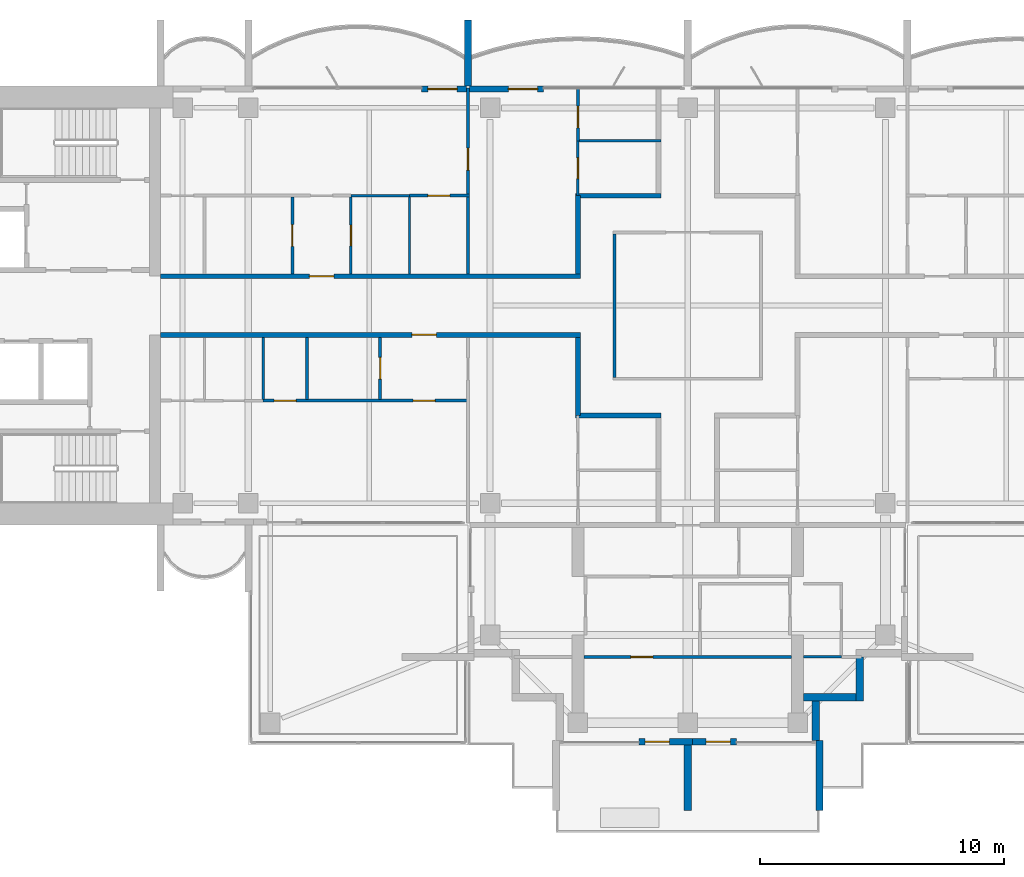
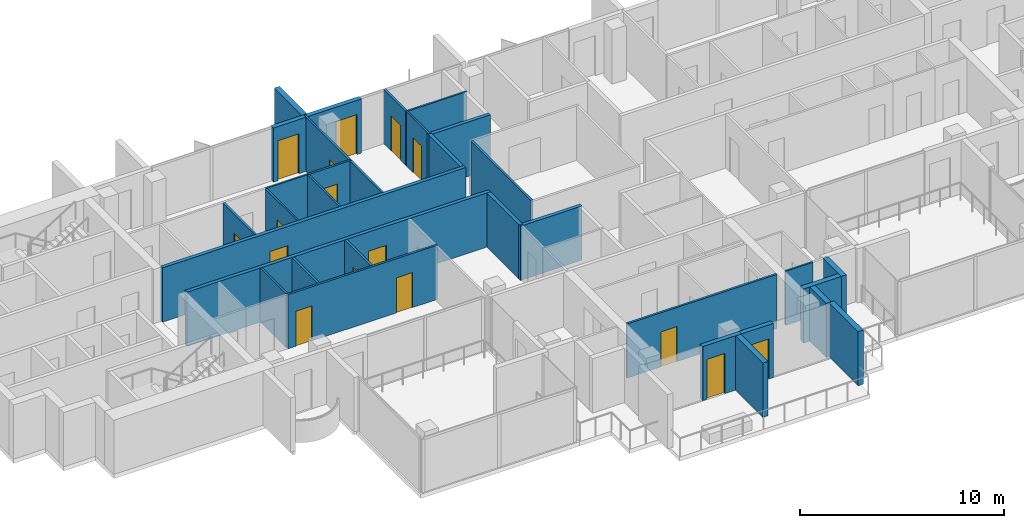
# One storey, part 8 of 16: 32 walls, 16 doors, 16 openings.
"""IFC4 building model written with IfcOpenShell, lengths in metres."""

from ifc_helpers import new_model, si_unit, direction, frame, frame_2d, origin, place, context, subcontext, project, spatial, rectangle, extrude, material, layer, layer_set, type_object, element, fill, save


model = new_model("IFC4")

# Units and contexts
model_context = context("Model", 3, precision=1e-05, world=origin(), true_north=direction((0.0, 1.0)))
body_context = subcontext(model_context, "Body", "Model", "MODEL_VIEW")
ifc_project = project(units=[si_unit("LENGTHUNIT", "METRE"), si_unit("AREAUNIT", "SQUARE_METRE"), si_unit("VOLUMEUNIT", "CUBIC_METRE"), si_unit("PLANEANGLEUNIT", "RADIAN"), si_unit("MASSUNIT", "GRAM", prefix="KILO")], contexts=[model_context])

# Site, building, storey
site_placement = place(None, origin())
site = spatial("IfcSite", under=ifc_project, at=site_placement, CompositionType="ELEMENT")
building_placement = place(site_placement, origin())
building = spatial("IfcBuilding", under=site, at=building_placement, Name="Perihelion Cross Residences", CompositionType="ELEMENT")
storey_placement = place(building_placement, frame((0.0, 0.0, 232.5)))
storey = spatial("IfcBuildingStorey", under=building, at=storey_placement, Name="L58", CompositionType="ELEMENT", Elevation=232.5)

# Wall, opening, door
ifc_material_1 = material(Name="Plasterboard partition")
ifc_layer_1 = layer(ifc_material_1, 0.199951171875)
ifc_layer_set_1 = layer_set([ifc_layer_1], Name="Apartment separation wall 200")
wall_type_1 = type_object("IfcWallType", Name="Apartment separation wall 200", PredefinedType="PARTITIONING", material=ifc_layer_set_1)
wall_1_placement = place(storey_placement, frame((-21.60009765625, 1.199951171875, 0.0), z_axis=(0.0, 0.0, 1.0), x_axis=(1.0, 0.0, 0.0)))
wall_1 = element("IfcWall", 1, at=wall_1_placement, inside=storey, type_object=wall_type_1, Name="Partition L58 W013", PredefinedType="PARTITIONING", context=body_context, shape_type="SweptSolid", body=[
    extrude(rectangle(XDim=17.2001953125, YDim=0.199951171875, at=frame_2d((8.60009765625, 0.0))), origin(), (0.0, 0.0, 1.0), 3.25),
])
opening_1_placement = place(wall_1_placement, frame((6.10009765625, 0.0, 0.0)))
opening_1 = element("IfcOpeningElement", 2, at=opening_1_placement, cuts=wall_1, Name="Opening L58.A41", PredefinedType="OPENING", context=body_context, shape_type="SweptSolid", body=[
    extrude(rectangle(XDim=1.0, YDim=2.10009765625, at=frame_2d((0.5, 1.050048828125))), frame((0.0, 0.10986328125, 0.0), z_axis=(0.0, -1.0, 0.0), x_axis=(1.0, 0.0, 0.0)), (0.0, 0.0, 1.0), 0.219970703125),
])
ifc_material_2 = material(Name="Timber door leaf", Category="wood")
door_type_1 = type_object("IfcDoorType", Name="Flat entrance door 1000 x 2100", OperationType="SINGLE_SWING_LEFT", PredefinedType="DOOR", material=ifc_material_2)
door_1_placement = place(opening_1_placement, origin())
door_1 = element("IfcDoor", 3, at=door_1_placement, inside=storey, type_object=door_type_1, Name="Door L58.A41", OperationType="SINGLE_SWING_LEFT", OverallHeight=2.10009765625, OverallWidth=1.0, PredefinedType="DOOR", context=body_context, shape_type="SweptSolid", body=[
    extrude(rectangle(XDim=1.0, YDim=2.10009765625, at=frame_2d((0.5, 1.050048828125))), frame((0.0, 0.02490234375, 0.0), z_axis=(0.0, -1.0, 0.0), x_axis=(1.0, 0.0, 0.0)), (0.0, 0.0, 1.0), 0.050048828125),
])
fill(opening_1, door_1)

# Walls
wall_2_placement = place(storey_placement, frame((-4.5, 1.300048828125, 0.0), z_axis=(0.0, 0.0, 1.0), x_axis=(0.0, 1.0, 0.0)))
element("IfcWall", 4, at=wall_2_placement, inside=storey, type_object=wall_type_1, Name="Partition L58 W014", PredefinedType="PARTITIONING", context=body_context, shape_type="SweptSolid", body=[
    extrude(rectangle(XDim=3.199951171875, YDim=0.199951171875, at=frame_2d((1.60009765625, 0.0))), origin(), (0.0, 0.0, 1.0), 3.25),
])
wall_3_placement = place(storey_placement, frame((-4.60009765625, 4.5, 0.0), z_axis=(0.0, 0.0, 1.0), x_axis=(1.0, 0.0, 0.0)))
element("IfcWall", 5, at=wall_3_placement, inside=storey, type_object=wall_type_1, Name="Partition L58 W015", PredefinedType="PARTITIONING", context=body_context, shape_type="SweptSolid", body=[
    extrude(rectangle(XDim=3.5, YDim=0.199951171875, at=frame_2d((1.75, 0.0))), origin(), (0.0, 0.0, 1.0), 3.25),
])

# Wall, opening, door
wall_4_placement = place(storey_placement, frame((-4.39990234375, -1.199951171875, 0.0), z_axis=(0.0, 0.0, 1.0), x_axis=(-1.0, 0.0, 0.0)))
wall_4 = element("IfcWall", 6, at=wall_4_placement, inside=storey, type_object=wall_type_1, Name="Partition L58 W017", PredefinedType="PARTITIONING", context=body_context, shape_type="SweptSolid", body=[
    extrude(rectangle(XDim=17.2001953125, YDim=0.199951171875, at=frame_2d((8.60009765625, 0.0))), origin(), (0.0, 0.0, 1.0), 3.25),
])
opening_2_placement = place(wall_4_placement, frame((5.89990234375, 0.0, 0.0)))
opening_2 = element("IfcOpeningElement", 7, at=opening_2_placement, cuts=wall_4, Name="Opening L58.A42", PredefinedType="OPENING", context=body_context, shape_type="SweptSolid", body=[
    extrude(rectangle(XDim=1.0, YDim=2.10009765625, at=frame_2d((0.5, 1.050048828125))), frame((0.0, 0.10986328125, 0.0), z_axis=(0.0, -1.0, 0.0), x_axis=(1.0, 0.0, 0.0)), (0.0, 0.0, 1.0), 0.219970703125),
])
door_2_placement = place(opening_2_placement, origin())
door_2 = element("IfcDoor", 8, at=door_2_placement, inside=storey, type_object=door_type_1, Name="Door L58.A42", OperationType="SINGLE_SWING_LEFT", OverallHeight=2.10009765625, OverallWidth=1.0, PredefinedType="DOOR", context=body_context, shape_type="SweptSolid", body=[
    extrude(rectangle(XDim=1.0, YDim=2.10009765625, at=frame_2d((0.5, 1.050048828125))), frame((0.0, 0.02490234375, 0.0), z_axis=(0.0, -1.0, 0.0), x_axis=(1.0, 0.0, 0.0)), (0.0, 0.0, 1.0), 0.050048828125),
])
fill(opening_2, door_2)

# Walls
wall_5_placement = place(storey_placement, frame((-4.5, -4.5, 0.0), z_axis=(0.0, 0.0, 1.0), x_axis=(0.0, 1.0, 0.0)))
element("IfcWall", 9, at=wall_5_placement, inside=storey, type_object=wall_type_1, Name="Partition L58 W018", PredefinedType="PARTITIONING", context=body_context, shape_type="SweptSolid", body=[
    extrude(rectangle(XDim=3.199951171875, YDim=0.199951171875, at=frame_2d((1.60009765625, 0.0))), origin(), (0.0, 0.0, 1.0), 3.25),
])
wall_6_placement = place(storey_placement, frame((-1.10009765625, -4.5, 0.0), z_axis=(0.0, 0.0, 1.0), x_axis=(-1.0, 0.0, 0.0)))
element("IfcWall", 10, at=wall_6_placement, inside=storey, type_object=wall_type_1, Name="Partition L58 W020", PredefinedType="PARTITIONING", context=body_context, shape_type="SweptSolid", body=[
    extrude(rectangle(XDim=3.5, YDim=0.199951171875, at=frame_2d((1.75, 0.0))), origin(), (0.0, 0.0, 1.0), 3.25),
])

# Wall, opening, door
ifc_material_3 = material(Name="Concrete C30/37, bronze-clad", Category="concrete")
ifc_layer_2 = layer(ifc_material_3, 0.25)
ifc_layer_set_2 = layer_set([ifc_layer_2], Name="Bronze-clad pier wall 250")
wall_type_2 = type_object("IfcWallType", Name="Bronze-clad pier wall 250", PredefinedType="SOLIDWALL", material=ifc_layer_set_2)
wall_7_placement = place(storey_placement, frame((-5.89990234375, 8.875, 0.0), z_axis=(0.0, 0.0, 1.0), x_axis=(-1.0, 0.0, 0.0)))
wall_7 = element("IfcWall", 11, at=wall_7_placement, inside=storey, type_object=wall_type_2, Name="Wall FW1 L58 north side east bay 2 pier", PredefinedType="SOLIDWALL", context=body_context, shape_type="SweptSolid", body=[
    extrude(rectangle(XDim=3.0400390625, YDim=0.25, at=frame_2d((1.52001953125, 0.0))), origin(), (0.0, 0.0, 1.0), 3.25),
])
opening_3_placement = place(wall_7_placement, frame((0.25, 0.0, 0.0)))
opening_3 = element("IfcOpeningElement", 12, at=opening_3_placement, cuts=wall_7, Name="Opening L58.E04", PredefinedType="OPENING", context=body_context, shape_type="SweptSolid", body=[
    extrude(rectangle(XDim=1.199951171875, YDim=2.39990234375, at=frame_2d((0.60009765625, 1.199951171875))), frame((0.0, 0.135009765625, 0.0), z_axis=(0.0, -1.0, 0.0), x_axis=(1.0, 0.0, 0.0)), (0.0, 0.0, 1.0), 0.27001953125),
])
ifc_material_4 = material(Name="Bronze anodised aluminium, glazed", Category="aluminium")
door_type_2 = type_object("IfcDoorType", Name="Balcony door 1200 x 2400", OperationType="NOTDEFINED", PredefinedType="DOOR", material=ifc_material_4)
door_3_placement = place(opening_3_placement, origin())
door_3 = element("IfcDoor", 13, at=door_3_placement, inside=storey, type_object=door_type_2, Name="Door L58.E04 north side east bay 2", OperationType="SINGLE_SWING_RIGHT", OverallHeight=2.39990234375, OverallWidth=1.199951171875, PredefinedType="DOOR", context=body_context, shape_type="SweptSolid", body=[
    extrude(rectangle(XDim=1.199951171875, YDim=2.39990234375, at=frame_2d((0.60009765625, 1.199951171875))), frame((0.0, 0.02490234375, 0.0), z_axis=(0.0, -1.0, 0.0), x_axis=(1.0, 0.0, 0.0)), (0.0, 0.0, 1.0), 0.050048828125),
])
fill(opening_3, door_3)

wall_8_placement = place(storey_placement, frame((-9.06005859375, 8.875, 0.0), z_axis=(0.0, 0.0, 1.0), x_axis=(-1.0, 0.0, 0.0)))
wall_8 = element("IfcWall", 14, at=wall_8_placement, inside=storey, type_object=wall_type_2, Name="Wall FW1 L58 west side north bay 1 pier", PredefinedType="SOLIDWALL", context=body_context, shape_type="SweptSolid", body=[
    extrude(rectangle(XDim=1.83984375, YDim=0.25, at=frame_2d((0.919921875, 0.0))), origin(), (0.0, 0.0, 1.0), 3.25),
])
opening_4_placement = place(wall_8_placement, frame((0.389892578125, 0.0, 0.0)))
opening_4 = element("IfcOpeningElement", 15, at=opening_4_placement, cuts=wall_8, Name="Opening L58.E05", PredefinedType="OPENING", context=body_context, shape_type="SweptSolid", body=[
    extrude(rectangle(XDim=1.199951171875, YDim=2.39990234375, at=frame_2d((0.60009765625, 1.199951171875))), frame((0.0, 0.135009765625, 0.0), z_axis=(0.0, -1.0, 0.0), x_axis=(1.0, 0.0, 0.0)), (0.0, 0.0, 1.0), 0.27001953125),
])
door_4_placement = place(opening_4_placement, origin())
door_4 = element("IfcDoor", 16, at=door_4_placement, inside=storey, type_object=door_type_2, Name="Door L58.E05 west side north bay 1", OperationType="SINGLE_SWING_LEFT", OverallHeight=2.39990234375, OverallWidth=1.199951171875, PredefinedType="DOOR", context=body_context, shape_type="SweptSolid", body=[
    extrude(rectangle(XDim=1.199951171875, YDim=2.39990234375, at=frame_2d((0.60009765625, 1.199951171875))), frame((0.0, 0.02490234375, 0.0), z_axis=(0.0, -1.0, 0.0), x_axis=(1.0, 0.0, 0.0)), (0.0, 0.0, 1.0), 0.050048828125),
])
fill(opening_4, door_4)

wall_9_placement = place(storey_placement, frame((-2.0, -17.875, 0.0), z_axis=(0.0, 0.0, 1.0), x_axis=(1.0, 0.0, 0.0)))
wall_9 = element("IfcWall", 17, at=wall_9_placement, inside=storey, type_object=wall_type_2, Name="Wall FW1 L58 south tip south bay 1 pier", PredefinedType="SOLIDWALL", context=body_context, shape_type="SweptSolid", body=[
    extrude(rectangle(XDim=2.199951171875, YDim=0.25, at=frame_2d((1.10009765625, 0.0))), origin(), (0.0, 0.0, 1.0), 3.25),
])
opening_5_placement = place(wall_9_placement, frame((0.25, 0.0, 0.0)))
opening_5 = element("IfcOpeningElement", 18, at=opening_5_placement, cuts=wall_9, Name="Opening L58.E10", PredefinedType="OPENING", context=body_context, shape_type="SweptSolid", body=[
    extrude(rectangle(XDim=1.0, YDim=2.39990234375, at=frame_2d((0.5, 1.199951171875))), frame((0.0, 0.135009765625, 0.0), z_axis=(0.0, -1.0, 0.0), x_axis=(1.0, 0.0, 0.0)), (0.0, 0.0, 1.0), 0.27001953125),
])
ifc_material_5 = material(Name="Bronze anodised aluminium, glazed", Category="aluminium")
door_type_3 = type_object("IfcDoorType", Name="Balcony door 1000 x 2400", OperationType="NOTDEFINED", PredefinedType="DOOR", material=ifc_material_5)
door_5_placement = place(opening_5_placement, origin())
door_5 = element("IfcDoor", 19, at=door_5_placement, inside=storey, type_object=door_type_3, Name="Door L58.E10 south tip south bay 1", OperationType="SINGLE_SWING_RIGHT", OverallHeight=2.39990234375, OverallWidth=1.0, PredefinedType="DOOR", context=body_context, shape_type="SweptSolid", body=[
    extrude(rectangle(XDim=1.0, YDim=2.39990234375, at=frame_2d((0.5, 1.199951171875))), frame((0.0, 0.02490234375, 0.0), z_axis=(0.0, -1.0, 0.0), x_axis=(1.0, 0.0, 0.0)), (0.0, 0.0, 1.0), 0.050048828125),
])
fill(opening_5, door_5)

wall_10_placement = place(storey_placement, frame((0.199951171875, -17.875, 0.0), z_axis=(0.0, 0.0, 1.0), x_axis=(1.0, 0.0, 0.0)))
wall_10 = element("IfcWall", 20, at=wall_10_placement, inside=storey, type_object=wall_type_2, Name="Wall FW1 L58 south tip south bay 2 pier", PredefinedType="SOLIDWALL", context=body_context, shape_type="SweptSolid", body=[
    extrude(rectangle(XDim=1.800048828125, YDim=0.25, at=frame_2d((0.89990234375, 0.0))), origin(), (0.0, 0.0, 1.0), 3.25),
])
opening_6_placement = place(wall_10_placement, frame((0.550048828125, 0.0, 0.0)))
opening_6 = element("IfcOpeningElement", 21, at=opening_6_placement, cuts=wall_10, Name="Opening L58.E11", PredefinedType="OPENING", context=body_context, shape_type="SweptSolid", body=[
    extrude(rectangle(XDim=1.0, YDim=2.39990234375, at=frame_2d((0.5, 1.199951171875))), frame((0.0, 0.135009765625, 0.0), z_axis=(0.0, -1.0, 0.0), x_axis=(1.0, 0.0, 0.0)), (0.0, 0.0, 1.0), 0.27001953125),
])
door_6_placement = place(opening_6_placement, origin())
door_6 = element("IfcDoor", 22, at=door_6_placement, inside=storey, type_object=door_type_3, Name="Door L58.E11 south tip south bay 2", OperationType="SINGLE_SWING_LEFT", OverallHeight=2.39990234375, OverallWidth=1.0, PredefinedType="DOOR", context=body_context, shape_type="SweptSolid", body=[
    extrude(rectangle(XDim=1.0, YDim=2.39990234375, at=frame_2d((0.5, 1.199951171875))), frame((0.0, 0.02490234375, 0.0), z_axis=(0.0, -1.0, 0.0), x_axis=(1.0, 0.0, 0.0)), (0.0, 0.0, 1.0), 0.050048828125),
])
fill(opening_6, door_6)

# Walls
ifc_material_6 = material(Name="Concrete C30/37, bronze-clad", Category="concrete")
ifc_layer_3 = layer(ifc_material_6, 0.300048828125)
ifc_layer_set_3 = layer_set([ifc_layer_3], Name="Bronze-clad serration wall 300")
wall_type_3 = type_object("IfcWallType", Name="Bronze-clad serration wall 300", PredefinedType="SOLIDWALL", material=ifc_layer_set_3)
wall_11_placement = place(storey_placement, frame((5.25, -17.820068359375, 0.0), z_axis=(0.0, 0.0, 1.0), x_axis=(0.0, 1.0, 0.0)))
element("IfcWall", 23, at=wall_11_placement, inside=storey, type_object=wall_type_3, Name="Wall SR1 L58 south corner south-east 1", PredefinedType="SOLIDWALL", context=body_context, shape_type="SweptSolid", body=[
    extrude(rectangle(XDim=1.6201171875, YDim=0.300048828125, at=frame_2d((0.81005859375, 0.0))), origin(), (0.0, 0.0, 1.0), 3.25),
])
wall_12_placement = place(storey_placement, frame((4.75, -16.050048828125, 0.0), z_axis=(0.0, 0.0, 1.0), x_axis=(1.0, 0.0, 0.0)))
element("IfcWall", 24, at=wall_12_placement, inside=storey, type_object=wall_type_3, Name="Wall SR1 L58 south corner south-east 2", PredefinedType="SOLIDWALL", context=body_context, shape_type="SweptSolid", body=[
    extrude(rectangle(XDim=2.14990234375, YDim=0.300048828125, at=frame_2d((1.074951171875, 0.0))), origin(), (0.0, 0.0, 1.0), 3.25),
])
wall_13_placement = place(storey_placement, frame((7.050048828125, -16.199951171875, 0.0), z_axis=(0.0, 0.0, 1.0), x_axis=(0.0, 1.0, 0.0)))
element("IfcWall", 25, at=wall_13_placement, inside=storey, type_object=wall_type_3, Name="Wall SR1 L58 south corner south-east 3", PredefinedType="SOLIDWALL", context=body_context, shape_type="SweptSolid", body=[
    extrude(rectangle(XDim=1.800048828125, YDim=0.300048828125, at=frame_2d((0.89990234375, 0.0))), origin(), (0.0, 0.0, 1.0), 3.25),
])
ifc_material_7 = material(Name="Plasterboard partition")
ifc_layer_4 = layer(ifc_material_7, 0.1201171875)
ifc_layer_set_4 = layer_set([ifc_layer_4], Name="Partition wall 120")
wall_type_4 = type_object("IfcWallType", Name="Partition wall 120", PredefinedType="PARTITIONING", material=ifc_layer_set_4)
wall_14_placement = place(storey_placement, frame((-3.0, 2.93994140625, 0.0), z_axis=(0.0, 0.0, 1.0), x_axis=(0.0, -1.0, 0.0)))
element("IfcWall", 26, at=wall_14_placement, inside=storey, type_object=wall_type_4, Name="Partition L58 W004", PredefinedType="PARTITIONING", context=body_context, shape_type="SweptSolid", body=[
    extrude(rectangle(XDim=5.8798828125, YDim=0.1201171875, at=frame_2d((2.93994140625, 0.0))), origin(), (0.0, 0.0, 1.0), 3.25),
])

# Wall, opening, door
wall_15_placement = place(storey_placement, frame((-11.39990234375, 4.5, 0.0), z_axis=(0.0, 0.0, 1.0), x_axis=(1.0, 0.0, 0.0)))
wall_15 = element("IfcWall", 27, at=wall_15_placement, inside=storey, type_object=wall_type_4, Name="Partition L58 W044", PredefinedType="PARTITIONING", context=body_context, shape_type="SweptSolid", body=[
    extrude(rectangle(XDim=2.4599609375, YDim=0.1201171875, at=frame_2d((1.22998046875, 0.0))), origin(), (0.0, 0.0, 1.0), 3.25),
])
opening_7_placement = place(wall_15_placement, frame((0.75, 0.0, 0.0)))
opening_7 = element("IfcOpeningElement", 28, at=opening_7_placement, cuts=wall_15, Name="Opening L58.A24", PredefinedType="OPENING", context=body_context, shape_type="SweptSolid", body=[
    extrude(rectangle(XDim=0.89990234375, YDim=2.10009765625, at=frame_2d((0.449951171875, 1.050048828125))), frame((0.0, 0.070068359375, 0.0), z_axis=(0.0, -1.0, 0.0), x_axis=(1.0, 0.0, 0.0)), (0.0, 0.0, 1.0), 0.14013671875),
])
ifc_material_8 = material(Name="Timber door leaf", Category="wood")
door_type_4 = type_object("IfcDoorType", Name="Interior room door 900 x 2100", OperationType="SINGLE_SWING_LEFT", PredefinedType="DOOR", material=ifc_material_8)
door_7_placement = place(opening_7_placement, origin())
door_7 = element("IfcDoor", 29, at=door_7_placement, inside=storey, type_object=door_type_4, Name="Door L58.A24", OperationType="SINGLE_SWING_LEFT", OverallHeight=2.10009765625, OverallWidth=0.89990234375, PredefinedType="DOOR", context=body_context, shape_type="SweptSolid", body=[
    extrude(rectangle(XDim=0.89990234375, YDim=2.10009765625, at=frame_2d((0.449951171875, 1.050048828125))), frame((0.0, 0.02490234375, 0.0), z_axis=(0.0, -1.0, 0.0), x_axis=(1.0, 0.0, 0.0)), (0.0, 0.0, 1.0), 0.050048828125),
])
fill(opening_7, door_7)

wall_16_placement = place(storey_placement, frame((-9.0, 8.919921875, 0.0), z_axis=(0.0, 0.0, 1.0), x_axis=(0.0, -1.0, 0.0)))
wall_16 = element("IfcWall", 30, at=wall_16_placement, inside=storey, type_object=wall_type_4, Name="Partition L58 W045", PredefinedType="PARTITIONING", context=body_context, shape_type="SweptSolid", body=[
    extrude(rectangle(XDim=7.619873046875, YDim=0.1201171875, at=frame_2d((3.81005859375, 0.0))), origin(), (0.0, 0.0, 1.0), 3.25),
])
opening_8_placement = place(wall_16_placement, frame((2.469970703125, 0.0, 0.0)))
opening_8 = element("IfcOpeningElement", 31, at=opening_8_placement, cuts=wall_16, Name="Opening L58.A21", PredefinedType="OPENING", context=body_context, shape_type="SweptSolid", body=[
    extrude(rectangle(XDim=0.89990234375, YDim=2.10009765625, at=frame_2d((0.449951171875, 1.050048828125))), frame((0.0, 0.070068359375, 0.0), z_axis=(0.0, -1.0, 0.0), x_axis=(1.0, 0.0, 0.0)), (0.0, 0.0, 1.0), 0.14013671875),
])
door_8_placement = place(opening_8_placement, origin())
door_8 = element("IfcDoor", 32, at=door_8_placement, inside=storey, type_object=door_type_4, Name="Door L58.A21", OperationType="SINGLE_SWING_LEFT", OverallHeight=2.10009765625, OverallWidth=0.89990234375, PredefinedType="DOOR", context=body_context, shape_type="SweptSolid", body=[
    extrude(rectangle(XDim=0.89990234375, YDim=2.10009765625, at=frame_2d((0.449951171875, 1.050048828125))), frame((0.0, 0.02490234375, 0.0), z_axis=(0.0, -1.0, 0.0), x_axis=(1.0, 0.0, 0.0)), (0.0, 0.0, 1.0), 0.050048828125),
])
fill(opening_8, door_8)

wall_17_placement = place(storey_placement, frame((-16.199951171875, 1.300048828125, 0.0), z_axis=(0.0, 0.0, 1.0), x_axis=(0.0, 1.0, 0.0)))
wall_17 = element("IfcWall", 33, at=wall_17_placement, inside=storey, type_object=wall_type_4, Name="Partition L58 W048", PredefinedType="PARTITIONING", context=body_context, shape_type="SweptSolid", body=[
    extrude(rectangle(XDim=3.139892578125, YDim=0.1201171875, at=frame_2d((1.56982421875, 0.0))), origin(), (0.0, 0.0, 1.0), 3.25),
])
opening_9_placement = place(wall_17_placement, frame((1.1201171875, 0.0, 0.0)))
opening_9 = element("IfcOpeningElement", 34, at=opening_9_placement, cuts=wall_17, Name="Opening L58.A18", PredefinedType="OPENING", context=body_context, shape_type="SweptSolid", body=[
    extrude(rectangle(XDim=0.89990234375, YDim=2.10009765625, at=frame_2d((0.449951171875, 1.050048828125))), frame((0.0, 0.070068359375, 0.0), z_axis=(0.0, -1.0, 0.0), x_axis=(1.0, 0.0, 0.0)), (0.0, 0.0, 1.0), 0.14013671875),
])
door_9_placement = place(opening_9_placement, origin())
door_9 = element("IfcDoor", 35, at=door_9_placement, inside=storey, type_object=door_type_4, Name="Door L58.A18", OperationType="SINGLE_SWING_LEFT", OverallHeight=2.10009765625, OverallWidth=0.89990234375, PredefinedType="DOOR", context=body_context, shape_type="SweptSolid", body=[
    extrude(rectangle(XDim=0.89990234375, YDim=2.10009765625, at=frame_2d((0.449951171875, 1.050048828125))), frame((0.0, 0.02490234375, 0.0), z_axis=(0.0, -1.0, 0.0), x_axis=(1.0, 0.0, 0.0)), (0.0, 0.0, 1.0), 0.050048828125),
])
fill(opening_9, door_9)

wall_18_placement = place(storey_placement, frame((-4.5, 8.919921875, 0.0), z_axis=(0.0, 0.0, 1.0), x_axis=(0.0, -1.0, 0.0)))
wall_18 = element("IfcWall", 36, at=wall_18_placement, inside=storey, type_object=wall_type_4, Name="Partition L58 W052", PredefinedType="PARTITIONING", context=body_context, shape_type="SweptSolid", body=[
    extrude(rectangle(XDim=2.169921875, YDim=0.1201171875, at=frame_2d((1.0849609375, 0.0))), origin(), (0.0, 0.0, 1.0), 3.25),
])
opening_10_placement = place(wall_18_placement, frame((0.7451171875, 0.0, 0.0)))
opening_10 = element("IfcOpeningElement", 37, at=opening_10_placement, cuts=wall_18, Name="Opening L58.A20", PredefinedType="OPENING", context=body_context, shape_type="SweptSolid", body=[
    extrude(rectangle(XDim=0.89990234375, YDim=2.10009765625, at=frame_2d((0.449951171875, 1.050048828125))), frame((0.0, 0.070068359375, 0.0), z_axis=(0.0, -1.0, 0.0), x_axis=(1.0, 0.0, 0.0)), (0.0, 0.0, 1.0), 0.14013671875),
])
door_10_placement = place(opening_10_placement, origin())
door_10 = element("IfcDoor", 38, at=door_10_placement, inside=storey, type_object=door_type_4, Name="Door L58.A20", OperationType="SINGLE_SWING_RIGHT", OverallHeight=2.10009765625, OverallWidth=0.89990234375, PredefinedType="DOOR", context=body_context, shape_type="SweptSolid", body=[
    extrude(rectangle(XDim=0.89990234375, YDim=2.10009765625, at=frame_2d((0.449951171875, 1.050048828125))), frame((0.0, 0.02490234375, 0.0), z_axis=(0.0, -1.0, 0.0), x_axis=(1.0, 0.0, 0.0)), (0.0, 0.0, 1.0), 0.050048828125),
])
fill(opening_10, door_10)

wall_19_placement = place(storey_placement, frame((-12.60009765625, -3.840087890625, 0.0), z_axis=(0.0, 0.0, 1.0), x_axis=(0.0, 1.0, 0.0)))
wall_19 = element("IfcWall", 39, at=wall_19_placement, inside=storey, type_object=wall_type_4, Name="Partition L58 W054", PredefinedType="PARTITIONING", context=body_context, shape_type="SweptSolid", body=[
    extrude(rectangle(XDim=2.5400390625, YDim=0.1201171875, at=frame_2d((1.27001953125, 0.0))), origin(), (0.0, 0.0, 1.0), 3.25),
])
opening_11_placement = place(wall_19_placement, frame((0.820068359375, 0.0, 0.0)))
opening_11 = element("IfcOpeningElement", 40, at=opening_11_placement, cuts=wall_19, Name="Opening L58.A27", PredefinedType="OPENING", context=body_context, shape_type="SweptSolid", body=[
    extrude(rectangle(XDim=0.89990234375, YDim=2.10009765625, at=frame_2d((0.449951171875, 1.050048828125))), frame((0.0, 0.070068359375, 0.0), z_axis=(0.0, -1.0, 0.0), x_axis=(1.0, 0.0, 0.0)), (0.0, 0.0, 1.0), 0.14013671875),
])
door_11_placement = place(opening_11_placement, origin())
door_11 = element("IfcDoor", 41, at=door_11_placement, inside=storey, type_object=door_type_4, Name="Door L58.A27", OperationType="SINGLE_SWING_LEFT", OverallHeight=2.10009765625, OverallWidth=0.89990234375, PredefinedType="DOOR", context=body_context, shape_type="SweptSolid", body=[
    extrude(rectangle(XDim=0.89990234375, YDim=2.10009765625, at=frame_2d((0.449951171875, 1.050048828125))), frame((0.0, 0.02490234375, 0.0), z_axis=(0.0, -1.0, 0.0), x_axis=(1.0, 0.0, 0.0)), (0.0, 0.0, 1.0), 0.050048828125),
])
fill(opening_11, door_11)

# Wall, openings, doors
wall_20_placement = place(storey_placement, frame((-8.93994140625, -3.89990234375, 0.0), z_axis=(0.0, 0.0, 1.0), x_axis=(-1.0, 0.0, 0.0)))
wall_20 = element("IfcWall", 42, at=wall_20_placement, inside=storey, type_object=wall_type_4, Name="Partition L58 W055", PredefinedType="PARTITIONING", context=body_context, shape_type="SweptSolid", body=[
    extrude(rectangle(XDim=8.4599609375, YDim=0.1201171875, at=frame_2d((4.22998046875, 0.0))), origin(), (0.0, 0.0, 1.0), 3.25),
])
opening_12_placement = place(wall_20_placement, frame((7.110107421875, 0.0, 0.0)))
opening_12 = element("IfcOpeningElement", 43, at=opening_12_placement, cuts=wall_20, Name="Opening L58.A28", PredefinedType="OPENING", context=body_context, shape_type="SweptSolid", body=[
    extrude(rectangle(XDim=0.89990234375, YDim=2.10009765625, at=frame_2d((0.449951171875, 1.050048828125))), frame((0.0, 0.070068359375, 0.0), z_axis=(0.0, -1.0, 0.0), x_axis=(1.0, 0.0, 0.0)), (0.0, 0.0, 1.0), 0.14013671875),
])
opening_13_placement = place(wall_20_placement, frame((1.409912109375, 0.0, 0.0)))
opening_13 = element("IfcOpeningElement", 44, at=opening_13_placement, cuts=wall_20, Name="Opening L58.A32", PredefinedType="OPENING", context=body_context, shape_type="SweptSolid", body=[
    extrude(rectangle(XDim=0.89990234375, YDim=2.10009765625, at=frame_2d((0.449951171875, 1.050048828125))), frame((0.0, 0.070068359375, 0.0), z_axis=(0.0, -1.0, 0.0), x_axis=(1.0, 0.0, 0.0)), (0.0, 0.0, 1.0), 0.14013671875),
])
door_12_placement = place(opening_12_placement, origin())
door_12 = element("IfcDoor", 45, at=door_12_placement, inside=storey, type_object=door_type_4, Name="Door L58.A28", OperationType="SINGLE_SWING_LEFT", OverallHeight=2.10009765625, OverallWidth=0.89990234375, PredefinedType="DOOR", context=body_context, shape_type="SweptSolid", body=[
    extrude(rectangle(XDim=0.89990234375, YDim=2.10009765625, at=frame_2d((0.449951171875, 1.050048828125))), frame((0.0, 0.02490234375, 0.0), z_axis=(0.0, -1.0, 0.0), x_axis=(1.0, 0.0, 0.0)), (0.0, 0.0, 1.0), 0.050048828125),
])
fill(opening_12, door_12)
door_13_placement = place(opening_13_placement, origin())
door_13 = element("IfcDoor", 46, at=door_13_placement, inside=storey, type_object=door_type_4, Name="Door L58.A32", OperationType="SINGLE_SWING_LEFT", OverallHeight=2.10009765625, OverallWidth=0.89990234375, PredefinedType="DOOR", context=body_context, shape_type="SweptSolid", body=[
    extrude(rectangle(XDim=0.89990234375, YDim=2.10009765625, at=frame_2d((0.449951171875, 1.050048828125))), frame((0.0, 0.02490234375, 0.0), z_axis=(0.0, -1.0, 0.0), x_axis=(1.0, 0.0, 0.0)), (0.0, 0.0, 1.0), 0.050048828125),
])
fill(opening_13, door_13)

# Wall
wall_21_placement = place(storey_placement, frame((-15.60009765625, -3.840087890625, 0.0), z_axis=(0.0, 0.0, 1.0), x_axis=(0.0, 1.0, 0.0)))
element("IfcWall", 47, at=wall_21_placement, inside=storey, type_object=wall_type_4, Name="Partition L58 W057", PredefinedType="PARTITIONING", context=body_context, shape_type="SweptSolid", body=[
    extrude(rectangle(XDim=2.5400390625, YDim=0.1201171875, at=frame_2d((1.27001953125, 0.0))), origin(), (0.0, 0.0, 1.0), 3.25),
])

# Wall, opening, door
wall_22_placement = place(storey_placement, frame((4.25, -14.39990234375, 0.0), z_axis=(0.0, 0.0, 1.0), x_axis=(-1.0, 0.0, 0.0)))
wall_22 = element("IfcWall", 48, at=wall_22_placement, inside=storey, type_object=wall_type_4, Name="Partition L58 W070", PredefinedType="PARTITIONING", context=body_context, shape_type="SweptSolid", body=[
    extrude(rectangle(XDim=8.5, YDim=0.1201171875, at=frame_2d((4.25, 0.0))), origin(), (0.0, 0.0, 1.0), 3.25),
])
opening_14_placement = place(wall_22_placement, frame((5.675048828125, 0.0, 0.0)))
opening_14 = element("IfcOpeningElement", 49, at=opening_14_placement, cuts=wall_22, Name="Opening L58.A37", PredefinedType="OPENING", context=body_context, shape_type="SweptSolid", body=[
    extrude(rectangle(XDim=0.89990234375, YDim=2.10009765625, at=frame_2d((0.449951171875, 1.050048828125))), frame((0.0, 0.070068359375, 0.0), z_axis=(0.0, -1.0, 0.0), x_axis=(1.0, 0.0, 0.0)), (0.0, 0.0, 1.0), 0.14013671875),
])
door_14_placement = place(opening_14_placement, origin())
door_14 = element("IfcDoor", 50, at=door_14_placement, inside=storey, type_object=door_type_4, Name="Door L58.A37", OperationType="SINGLE_SWING_LEFT", OverallHeight=2.10009765625, OverallWidth=0.89990234375, PredefinedType="DOOR", context=body_context, shape_type="SweptSolid", body=[
    extrude(rectangle(XDim=0.89990234375, YDim=2.10009765625, at=frame_2d((0.449951171875, 1.050048828125))), frame((0.0, 0.02490234375, 0.0), z_axis=(0.0, -1.0, 0.0), x_axis=(1.0, 0.0, 0.0)), (0.0, 0.0, 1.0), 0.050048828125),
])
fill(opening_14, door_14)

# Walls
ifc_material_9 = material(Name="Precast concrete C50/60", Category="concrete")
ifc_layer_5 = layer(ifc_material_9, 0.300048828125)
ifc_layer_set_5 = layer_set([ifc_layer_5], Name="Precast concrete C50/60 blade wall 300")
wall_type_5 = type_object("IfcWallType", Name="Precast concrete C50/60 blade wall 300", PredefinedType="SOLIDWALL", material=ifc_layer_set_5)
for number, where, z_axis, x_axis, name in (
    (51, (-9.0, 9.0, 0.0), (0.0, 0.0, 1.0), (0.0, 1.0, 0.0), "Wall BL1 L58 no. 7"),
    (52, (0.0, -18.0, 0.0), (0.0, 0.0, 1.0), (0.0, -1.0, 0.0), "Wall BL1 L58 no. 8"),
):
    element("IfcWall", number, at=place(storey_placement, frame(where, z_axis=z_axis, x_axis=x_axis)), inside=storey, type_object=wall_type_5, Name=name, PredefinedType="SOLIDWALL", context=body_context, shape_type="SweptSolid", body=[
        extrude(rectangle(XDim=2.699951171875, YDim=0.300048828125, at=frame_2d((1.35009765625, 0.0))), origin(), (0.0, 0.0, 1.0), 3.25),
    ])
wall_23_placement = place(storey_placement, frame((5.39990234375, -17.820068359375, 0.0), z_axis=(0.0, 0.0, 1.0), x_axis=(0.0, -1.0, 0.0)))
element("IfcWall", 53, at=wall_23_placement, inside=storey, type_object=wall_type_5, Name="Wall BL1 L58 no. 14", PredefinedType="SOLIDWALL", context=body_context, shape_type="SweptSolid", body=[
    extrude(rectangle(XDim=2.8798828125, YDim=0.300048828125, at=frame_2d((1.43994140625, 0.0))), origin(), (0.0, 0.0, 1.0), 3.25),
])
ifc_material_10 = material(Name="Plasterboard partition")
ifc_layer_6 = layer(ifc_material_10, 0.10009765625)
ifc_layer_set_6 = layer_set([ifc_layer_6], Name="Wet room wall 100")
wall_type_6 = type_object("IfcWallType", Name="Wet room wall 100", PredefinedType="PARTITIONING", material=ifc_layer_set_6)
wall_24_placement = place(storey_placement, frame((-11.39990234375, 1.300048828125, 0.0), z_axis=(0.0, 0.0, 1.0), x_axis=(0.0, 1.0, 0.0)))
element("IfcWall", 54, at=wall_24_placement, inside=storey, type_object=wall_type_6, Name="Partition L58 W043", PredefinedType="PARTITIONING", context=body_context, shape_type="SweptSolid", body=[
    extrude(rectangle(XDim=3.139892578125, YDim=0.10009765625, at=frame_2d((1.56982421875, 0.0))), origin(), (0.0, 0.0, 1.0), 3.25),
])

# Wall, opening, door
wall_25_placement = place(storey_placement, frame((-13.800048828125, 1.300048828125, 0.0), z_axis=(0.0, 0.0, 1.0), x_axis=(0.0, 1.0, 0.0)))
wall_25 = element("IfcWall", 55, at=wall_25_placement, inside=storey, type_object=wall_type_6, Name="Partition L58 W046", PredefinedType="PARTITIONING", context=body_context, shape_type="SweptSolid", body=[
    extrude(rectangle(XDim=3.139892578125, YDim=0.10009765625, at=frame_2d((1.56982421875, 0.0))), origin(), (0.0, 0.0, 1.0), 3.25),
])
opening_15_placement = place(wall_25_placement, frame((1.14501953125, 0.0, 0.0)))
opening_15 = element("IfcOpeningElement", 56, at=opening_15_placement, cuts=wall_25, Name="Opening L58.A17", PredefinedType="OPENING", context=body_context, shape_type="SweptSolid", body=[
    extrude(rectangle(XDim=0.85009765625, YDim=2.10009765625, at=frame_2d((0.425048828125, 1.050048828125))), frame((0.0, 0.06005859375, 0.0), z_axis=(0.0, -1.0, 0.0), x_axis=(1.0, 0.0, 0.0)), (0.0, 0.0, 1.0), 0.1201171875),
])
ifc_material_11 = material(Name="Timber door leaf", Category="wood")
door_type_5 = type_object("IfcDoorType", Name="Interior bathroom door 850 x 2100", OperationType="SINGLE_SWING_LEFT", PredefinedType="DOOR", material=ifc_material_11)
door_15_placement = place(opening_15_placement, origin())
door_15 = element("IfcDoor", 57, at=door_15_placement, inside=storey, type_object=door_type_5, Name="Door L58.A17", OperationType="SINGLE_SWING_RIGHT", OverallHeight=2.10009765625, OverallWidth=0.85009765625, PredefinedType="DOOR", context=body_context, shape_type="SweptSolid", body=[
    extrude(rectangle(XDim=0.85009765625, YDim=2.10009765625, at=frame_2d((0.425048828125, 1.050048828125))), frame((0.0, 0.02490234375, 0.0), z_axis=(0.0, -1.0, 0.0), x_axis=(1.0, 0.0, 0.0)), (0.0, 0.0, 1.0), 0.050048828125),
])
fill(opening_15, door_15)

# Wall
wall_26_placement = place(storey_placement, frame((-13.800048828125, 4.5, 0.0), z_axis=(0.0, 0.0, 1.0), x_axis=(1.0, 0.0, 0.0)))
element("IfcWall", 58, at=wall_26_placement, inside=storey, type_object=wall_type_6, Name="Partition L58 W047", PredefinedType="PARTITIONING", context=body_context, shape_type="SweptSolid", body=[
    extrude(rectangle(XDim=2.400146484375, YDim=0.10009765625, at=frame_2d((1.2001953125, 0.0))), origin(), (0.0, 0.0, 1.0), 3.25),
])

# Wall, opening, door
wall_27_placement = place(storey_placement, frame((-4.5, 6.75, 0.0), z_axis=(0.0, 0.0, 1.0), x_axis=(0.0, -1.0, 0.0)))
wall_27 = element("IfcWall", 59, at=wall_27_placement, inside=storey, type_object=wall_type_6, Name="Partition L58 W051", PredefinedType="PARTITIONING", context=body_context, shape_type="SweptSolid", body=[
    extrude(rectangle(XDim=2.25, YDim=0.10009765625, at=frame_2d((1.125, 0.0))), origin(), (0.0, 0.0, 1.0), 3.25),
])
opening_16_placement = place(wall_27_placement, frame((0.699951171875, 0.0, 0.0)))
opening_16 = element("IfcOpeningElement", 60, at=opening_16_placement, cuts=wall_27, Name="Opening L58.A22", PredefinedType="OPENING", context=body_context, shape_type="SweptSolid", body=[
    extrude(rectangle(XDim=0.85009765625, YDim=2.10009765625, at=frame_2d((0.425048828125, 1.050048828125))), frame((0.0, 0.06005859375, 0.0), z_axis=(0.0, -1.0, 0.0), x_axis=(1.0, 0.0, 0.0)), (0.0, 0.0, 1.0), 0.1201171875),
])
door_16_placement = place(opening_16_placement, origin())
door_16 = element("IfcDoor", 61, at=door_16_placement, inside=storey, type_object=door_type_5, Name="Door L58.A22", OperationType="SINGLE_SWING_RIGHT", OverallHeight=2.10009765625, OverallWidth=0.85009765625, PredefinedType="DOOR", context=body_context, shape_type="SweptSolid", body=[
    extrude(rectangle(XDim=0.85009765625, YDim=2.10009765625, at=frame_2d((0.425048828125, 1.050048828125))), frame((0.0, 0.02490234375, 0.0), z_axis=(0.0, -1.0, 0.0), x_axis=(1.0, 0.0, 0.0)), (0.0, 0.0, 1.0), 0.050048828125),
])
fill(opening_16, door_16)

# Walls
wall_28_placement = place(storey_placement, frame((-4.56005859375, 6.75, 0.0), z_axis=(0.0, 0.0, 1.0), x_axis=(1.0, 0.0, 0.0)))
element("IfcWall", 62, at=wall_28_placement, inside=storey, type_object=wall_type_6, Name="Partition L58 W053", PredefinedType="PARTITIONING", context=body_context, shape_type="SweptSolid", body=[
    extrude(rectangle(XDim=3.4599609375, YDim=0.10009765625, at=frame_2d((1.72998046875, 0.0))), origin(), (0.0, 0.0, 1.0), 3.25),
])
wall_29_placement = place(storey_placement, frame((-17.39990234375, -3.840087890625, 0.0), z_axis=(0.0, 0.0, 1.0), x_axis=(0.0, 1.0, 0.0)))
element("IfcWall", 63, at=wall_29_placement, inside=storey, type_object=wall_type_6, Name="Partition L58 W058", PredefinedType="PARTITIONING", context=body_context, shape_type="SweptSolid", body=[
    extrude(rectangle(XDim=2.5400390625, YDim=0.10009765625, at=frame_2d((1.27001953125, 0.0))), origin(), (0.0, 0.0, 1.0), 3.25),
])
wall_30_placement = place(storey_placement, frame((6.300048828125, -14.39990234375, 0.0), z_axis=(0.0, 0.0, 1.0), x_axis=(-1.0, 0.0, 0.0)))
element("IfcWall", 64, at=wall_30_placement, inside=storey, type_object=wall_type_6, Name="Partition L58 W074", PredefinedType="PARTITIONING", context=body_context, shape_type="SweptSolid", body=[
    extrude(rectangle(XDim=1.550048828125, YDim=0.10009765625, at=frame_2d((0.77490234375, 0.0))), origin(), (0.0, 0.0, 1.0), 3.25),
])

save(model, "model.ifc")
